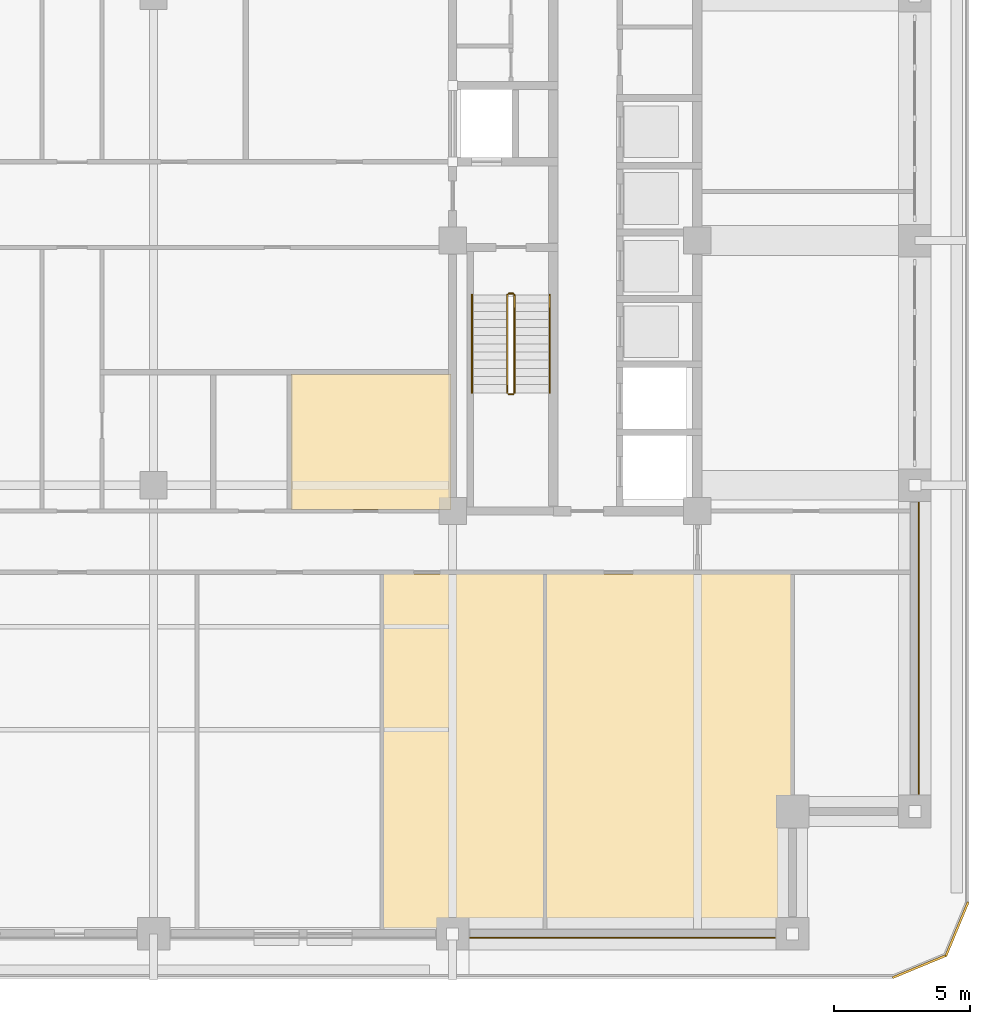
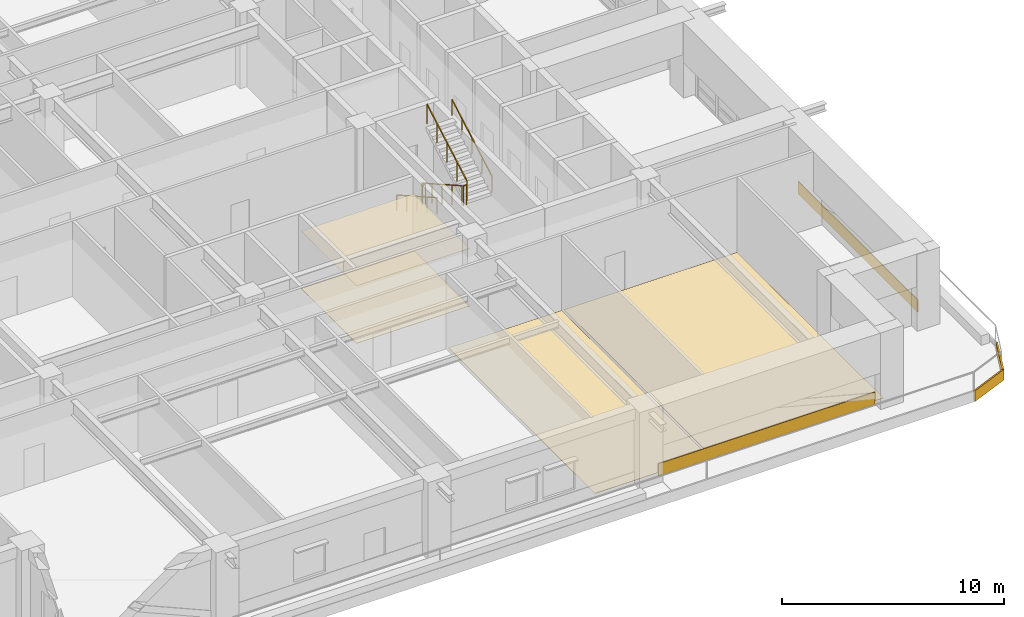
# One storey, part 19 of 21: 8 coverings, 6 railings.
"""IFC4 building model written with IfcOpenShell, lengths in metres."""

from ifc_helpers import new_model, si_unit, direction, frame, frame_2d, origin, origin_2d, place, context, subcontext, project, spatial, polyline, rectangle, outline, extrude, material, layer, layer_set, type_object, element, save


model = new_model("IFC4")

# Units and contexts
model_context = context("Model", 3, precision=1e-05, world=origin(), true_north=direction((0.0, 1.0)))
body_context = subcontext(model_context, "Body", "Model", "MODEL_VIEW")
ifc_project = project(units=[si_unit("LENGTHUNIT", "METRE"), si_unit("AREAUNIT", "SQUARE_METRE"), si_unit("VOLUMEUNIT", "CUBIC_METRE"), si_unit("PLANEANGLEUNIT", "RADIAN"), si_unit("MASSUNIT", "GRAM", prefix="KILO")], contexts=[model_context])

# Site, building, storey
site_placement = place(None, origin())
site = spatial("IfcSite", under=ifc_project, at=site_placement, CompositionType="ELEMENT")
building_placement = place(site_placement, origin())
building = spatial("IfcBuilding", under=site, at=building_placement, Name="Zulmaris Gate Convention Tower", CompositionType="ELEMENT")
storey_placement = place(building_placement, frame((0.0, 0.0, 86.93994140625)))
storey = spatial("IfcBuildingStorey", under=building, at=storey_placement, Name="L21", CompositionType="ELEMENT", Elevation=86.93994140625)

# Coverings
ifc_material_1 = material(Name="Precast concrete C40/50", Category="concrete")
ifc_layer_1 = layer(ifc_material_1, 0.0400390625, Name="Precast concrete C40/50")
ifc_layer_set_1 = layer_set([ifc_layer_1], Name="Precast concrete C40/50")
covering_type_1 = type_object("IfcCoveringType", Name="CLAD-SPANDREL-PRECAST", PredefinedType="CLADDING", material=ifc_layer_set_1)
covering_1_placement = place(storey_placement, frame((11.6298828125, -25.64990234375, 0.0), z_axis=(0.0, 0.0, 1.0), x_axis=(1.0, 0.0, 0.0)))
element("IfcCovering", 1, at=covering_1_placement, inside=storey, type_object=covering_type_1, Name="CLD-L21-S-3_0", PredefinedType="CLADDING", context=body_context, shape_type="SweptSolid", body=[
    extrude(rectangle(XDim=11.240234375, YDim=0.0400390625, at=frame_2d((5.6201171875, 0.0))), origin(), (0.0, 0.0, 1.0), 0.679931640625),
])
covering_2_placement = place(storey_placement, frame((28.14990234375, -20.3701171875, 0.0), z_axis=(0.0, 0.0, 1.0), x_axis=(0.0, 1.0, 0.0)))
element("IfcCovering", 2, at=covering_2_placement, inside=storey, type_object=covering_type_1, Name="CLD-L21-E-0_0", PredefinedType="CLADDING", context=body_context, shape_type="SweptSolid", body=[
    extrude(rectangle(XDim=10.740234375, YDim=0.0400390625, at=frame_2d((5.3701171875, 0.0))), origin(), (0.0, 0.0, 1.0), 0.679931640625),
])
ifc_material_2 = material(Name="White Glazed Architectural Precast Concrete C40/50", Category="concrete")
ifc_layer_2 = layer(ifc_material_2, 0.080078125, Name="White Glazed Architectural Precast Concrete C40/50")
ifc_layer_set_2 = layer_set([ifc_layer_2], Name="White Glazed Architectural Precast Concrete C40/50")
covering_type_2 = type_object("IfcCoveringType", Name="CLAD-TRAY-FASCIA", PredefinedType="CLADDING", material=ifc_layer_set_2)
covering_3_placement = place(storey_placement, frame((27.184814453125, -27.113037109375, -0.465087890625), z_axis=(0.0, 0.0, 1.0), x_axis=(0.923873803533, 0.382697263049, 0.0)))
element("IfcCovering", 3, at=covering_3_placement, inside=storey, type_object=covering_type_2, Name="FSC-L21-TR-03", PredefinedType="CLADDING", context=body_context, shape_type="SweptSolid", body=[
    extrude(rectangle(XDim=2.142822265625, YDim=0.080078125, at=frame_2d((1.0712890625, 0.0))), origin(), (0.0, 0.0, 1.0), 0.5849609375),
])
covering_4_placement = place(storey_placement, frame((29.142822265625, -26.314697265625, -0.465087890625), z_axis=(0.0, 0.0, 1.0), x_axis=(0.382656984709, 0.923890487046, 0.0)))
element("IfcCovering", 4, at=covering_4_placement, inside=storey, type_object=covering_type_2, Name="FSC-L21-TR-04", PredefinedType="CLADDING", context=body_context, shape_type="SweptSolid", body=[
    extrude(rectangle(XDim=2.14306640625, YDim=0.080078125, at=frame_2d((1.071533203125, 0.0))), origin(), (0.0, 0.0, 1.0), 0.5849609375),
])
ifc_material_3 = material(Name="Mineral Fibre Acoustic Ceiling Tile")
ifc_layer_3 = layer(ifc_material_3, 0.02001953125, Name="Mineral Fibre Acoustic Ceiling Tile")
ifc_layer_set_3 = layer_set([ifc_layer_3], Name="Mineral Fibre Acoustic Ceiling Tile")
covering_type_3 = type_object("IfcCoveringType", Name="CLG-ACOUSTIC-600", PredefinedType="CEILING", material=ifc_layer_set_3)
covering_5_placement = place(storey_placement, frame((0.0, 0.0, 3.153076171875)))
element("IfcCovering", 5, at=covering_5_placement, inside=storey, type_object=covering_type_3, Name="CLG-L21-R56", PredefinedType="CEILING", context=body_context, shape_type="SweptSolid", body=[
    extrude(outline(polyline([(5.06005859375, -9.889892578125), (10.93994140625, -9.889892578125), (10.93994140625, -4.909912109375), (5.06005859375, -4.909912109375), (5.06005859375, -9.889892578125)])), origin(), (0.0, 0.0, 1.0), 0.019775390625),
])
ifc_material_4 = material(Name="Woven Acoustic Wool Carpet Tile")
ifc_layer_4 = layer(ifc_material_4, 0.02001953125, Name="Woven Acoustic Wool Carpet Tile")
ifc_layer_set_4 = layer_set([ifc_layer_4], Name="Woven Acoustic Wool Carpet Tile")
covering_type_4 = type_object("IfcCoveringType", Name="FLR-CARPET-12", PredefinedType="FLOORING", material=ifc_layer_set_4)
covering_6_placement = place(storey_placement, origin())
element("IfcCovering", 6, at=covering_6_placement, inside=storey, type_object=covering_type_4, Name="FLR-L21-R47", PredefinedType="FLOORING", context=body_context, shape_type="SweptSolid", body=[
    extrude(outline(polyline([(8.4599609375, -25.43994140625), (14.340087890625, -25.43994140625), (14.340087890625, -12.260009765625), (8.4599609375, -12.260009765625), (8.4599609375, -25.43994140625)])), origin(), (0.0, 0.0, 1.0), 0.02001953125),
])
covering_7_placement = place(storey_placement, origin())
element("IfcCovering", 7, at=covering_7_placement, inside=storey, type_object=covering_type_4, Name="FLR-L21-R48", PredefinedType="FLOORING", context=body_context, shape_type="SweptSolid", body=[
    extrude(outline(polyline([(14.4599609375, -25.43994140625), (23.43994140625, -25.43994140625), (23.43994140625, -12.260009765625), (14.4599609375, -12.260009765625), (14.4599609375, -25.43994140625)])), origin(), (0.0, 0.0, 1.0), 0.02001953125),
])
covering_8_placement = place(storey_placement, origin())
element("IfcCovering", 8, at=covering_8_placement, inside=storey, type_object=covering_type_4, Name="FLR-L21-R56", PredefinedType="FLOORING", context=body_context, shape_type="SweptSolid", body=[
    extrude(outline(polyline([(5.06005859375, -9.889892578125), (10.93994140625, -9.889892578125), (10.93994140625, -4.909912109375), (5.06005859375, -4.909912109375), (5.06005859375, -9.889892578125)])), origin(), (0.0, 0.0, 1.0), 0.02001953125),
])

# Railings
ifc_material_5 = material(Name="Painted Galvanised Steel", Category="steel")
railing_type_1 = type_object("IfcRailingType", Name="RL-STG-1150", PredefinedType="GUARDRAIL", material=ifc_material_5)
railing_1_placement = place(storey_placement, frame((13.010009765625, -2.0, 0.169921875)))
element("IfcRailing", 9, at=railing_1_placement, inside=storey, type_object=railing_type_1, Name="L21 ST-2 stair guard 1", PredefinedType="GUARDRAIL", context=body_context, shape_type="SweptSolid", body=[
    extrude(rectangle(XDim=0.048095703125, YDim=0.048095703125, at=origin_2d()), frame((0.0, 0.0, 1.076171875), z_axis=(0.0, -0.870023872995, 0.493009594652), x_axis=(1.0, 0.0, 0.0)), (0.0, 0.0, 1.0), 4.137939453125),
    extrude(rectangle(XDim=0.0419921875, YDim=0.0419921875, at=origin_2d()), origin(), (0.0, 0.0, 1.0), 1.052001953125),
    extrude(rectangle(XDim=0.0419921875, YDim=0.0419921875, at=origin_2d()), frame((0.0, -0.89990234375, 0.510009765625)), (0.0, 0.0, 1.0), 1.052001953125),
    extrude(rectangle(XDim=0.0419921875, YDim=0.0419921875, at=origin_2d()), frame((0.0, -1.800048828125, 1.02001953125)), (0.0, 0.0, 1.0), 1.052001953125),
    extrude(rectangle(XDim=0.0419921875, YDim=0.0419921875, at=origin_2d()), frame((0.0, -2.7001953125, 1.530029296875)), (0.0, 0.0, 1.0), 1.052001953125),
    extrude(rectangle(XDim=0.0419921875, YDim=0.0419921875, at=origin_2d()), frame((0.0, -3.60009765625, 2.0400390625)), (0.0, 0.0, 1.0), 1.052001953125),
])
railing_2_placement = place(storey_placement, frame((13.06005859375, -5.64990234375, 2.2099609375)))
element("IfcRailing", 10, at=railing_2_placement, inside=storey, type_object=railing_type_1, Name="L21 ST-2 stair guard 2", PredefinedType="GUARDRAIL", context=body_context, shape_type="SweptSolid", body=[
    extrude(rectangle(XDim=0.048095703125, YDim=0.048095703125, at=origin_2d()), frame((0.0, 0.0, 1.076171875), z_axis=(1.0, 0.0, 0.0), x_axis=(0.0, 1.0, 0.0)), (0.0, 0.0, 1.0), 0.159912109375),
    extrude(rectangle(XDim=0.0419921875, YDim=0.0419921875, at=origin_2d()), origin(), (0.0, 0.0, 1.0), 1.052001953125),
    extrude(rectangle(XDim=0.0419921875, YDim=0.0419921875, at=origin_2d()), frame((0.159912109375, 0.0, 0.0)), (0.0, 0.0, 1.0), 1.052001953125),
])
railing_3_placement = place(storey_placement, frame((13.27001953125, -5.60009765625, 2.3798828125)))
element("IfcRailing", 11, at=railing_3_placement, inside=storey, type_object=railing_type_1, Name="L21 ST-2 stair guard 3", PredefinedType="GUARDRAIL", context=body_context, shape_type="SweptSolid", body=[
    extrude(rectangle(XDim=0.048095703125, YDim=0.048095703125, at=origin_2d()), frame((0.0, 0.0, 1.076171875), z_axis=(0.0, 0.870023872995, 0.493009594652), x_axis=(-1.0, 0.0, 0.0)), (0.0, 0.0, 1.0), 4.137939453125),
    extrude(rectangle(XDim=0.0419921875, YDim=0.0419921875, at=origin_2d()), origin(), (0.0, 0.0, 1.0), 1.052001953125),
    extrude(rectangle(XDim=0.0419921875, YDim=0.0419921875, at=origin_2d()), frame((0.0, 0.89990234375, 0.510009765625)), (0.0, 0.0, 1.0), 1.052001953125),
    extrude(rectangle(XDim=0.0419921875, YDim=0.0419921875, at=origin_2d()), frame((0.0, 1.800048828125, 1.02001953125)), (0.0, 0.0, 1.0), 1.052001953125),
    extrude(rectangle(XDim=0.0419921875, YDim=0.0419921875, at=origin_2d()), frame((0.0, 2.7001953125, 1.530029296875)), (0.0, 0.0, 1.0), 1.052001953125),
    extrude(rectangle(XDim=0.0419921875, YDim=0.0419921875, at=origin_2d()), frame((0.0, 3.60009765625, 2.0400390625)), (0.0, 0.0, 1.0), 1.052001953125),
])
railing_4_placement = place(storey_placement, frame((13.06005859375, -1.949951171875, 0.0)))
element("IfcRailing", 12, at=railing_4_placement, inside=storey, type_object=railing_type_1, Name="L21 ST-2 stair guard 4", PredefinedType="GUARDRAIL", context=body_context, shape_type="SweptSolid", body=[
    extrude(rectangle(XDim=0.048095703125, YDim=0.048095703125, at=origin_2d()), frame((0.0, 0.0, 1.076171875), z_axis=(1.0, 0.0, 0.0), x_axis=(0.0, 1.0, 0.0)), (0.0, 0.0, 1.0), 0.159912109375),
    extrude(rectangle(XDim=0.0419921875, YDim=0.0419921875, at=origin_2d()), origin(), (0.0, 0.0, 1.0), 1.052001953125),
    extrude(rectangle(XDim=0.0419921875, YDim=0.0419921875, at=origin_2d()), frame((0.159912109375, 0.0, 0.0)), (0.0, 0.0, 1.0), 1.052001953125),
])
ifc_material_6 = material(Name="Brushed Stainless Steel", Category="steel")
railing_type_2 = type_object("IfcRailingType", Name="RL-STH-900", PredefinedType="HANDRAIL", material=ifc_material_6)
railing_5_placement = place(storey_placement, frame((11.7099609375, -2.0, 0.169921875)))
element("IfcRailing", 13, at=railing_5_placement, inside=storey, type_object=railing_type_2, Name="L21 ST-2 stair handrail 1", PredefinedType="HANDRAIL", context=body_context, shape_type="SweptSolid", body=[
    extrude(rectangle(XDim=0.048095703125, YDim=0.048095703125, at=origin_2d()), frame((0.0, 0.0, 0.8759765625), z_axis=(0.0, -0.870023872995, 0.493009594652), x_axis=(1.0, 0.0, 0.0)), (0.0, 0.0, 1.0), 4.137939453125),
    extrude(rectangle(XDim=0.0419921875, YDim=0.0419921875, at=origin_2d()), origin(), (0.0, 0.0, 1.0), 0.851806640625),
    extrude(rectangle(XDim=0.0419921875, YDim=0.0419921875, at=origin_2d()), frame((0.0, -0.89990234375, 0.510009765625)), (0.0, 0.0, 1.0), 0.851806640625),
    extrude(rectangle(XDim=0.0419921875, YDim=0.0419921875, at=origin_2d()), frame((0.0, -1.800048828125, 1.02001953125)), (0.0, 0.0, 1.0), 0.851806640625),
    extrude(rectangle(XDim=0.0419921875, YDim=0.0419921875, at=origin_2d()), frame((0.0, -2.7001953125, 1.530029296875)), (0.0, 0.0, 1.0), 0.851806640625),
    extrude(rectangle(XDim=0.0419921875, YDim=0.0419921875, at=origin_2d()), frame((0.0, -3.60009765625, 2.0400390625)), (0.0, 0.0, 1.0), 0.851806640625),
])
railing_6_placement = place(storey_placement, frame((14.570068359375, -5.60009765625, 2.3798828125)))
element("IfcRailing", 14, at=railing_6_placement, inside=storey, type_object=railing_type_2, Name="L21 ST-2 stair handrail 2", PredefinedType="HANDRAIL", context=body_context, shape_type="SweptSolid", body=[
    extrude(rectangle(XDim=0.048095703125, YDim=0.048095703125, at=origin_2d()), frame((0.0, 0.0, 0.8759765625), z_axis=(0.0, 0.870023872995, 0.493009594652), x_axis=(-1.0, 0.0, 0.0)), (0.0, 0.0, 1.0), 4.137939453125),
    extrude(rectangle(XDim=0.0419921875, YDim=0.0419921875, at=origin_2d()), origin(), (0.0, 0.0, 1.0), 0.851806640625),
    extrude(rectangle(XDim=0.0419921875, YDim=0.0419921875, at=origin_2d()), frame((0.0, 0.89990234375, 0.510009765625)), (0.0, 0.0, 1.0), 0.851806640625),
    extrude(rectangle(XDim=0.0419921875, YDim=0.0419921875, at=origin_2d()), frame((0.0, 1.800048828125, 1.02001953125)), (0.0, 0.0, 1.0), 0.851806640625),
    extrude(rectangle(XDim=0.0419921875, YDim=0.0419921875, at=origin_2d()), frame((0.0, 2.7001953125, 1.530029296875)), (0.0, 0.0, 1.0), 0.851806640625),
    extrude(rectangle(XDim=0.0419921875, YDim=0.0419921875, at=origin_2d()), frame((0.0, 3.60009765625, 2.0400390625)), (0.0, 0.0, 1.0), 0.851806640625),
])

save(model, "model.ifc")
